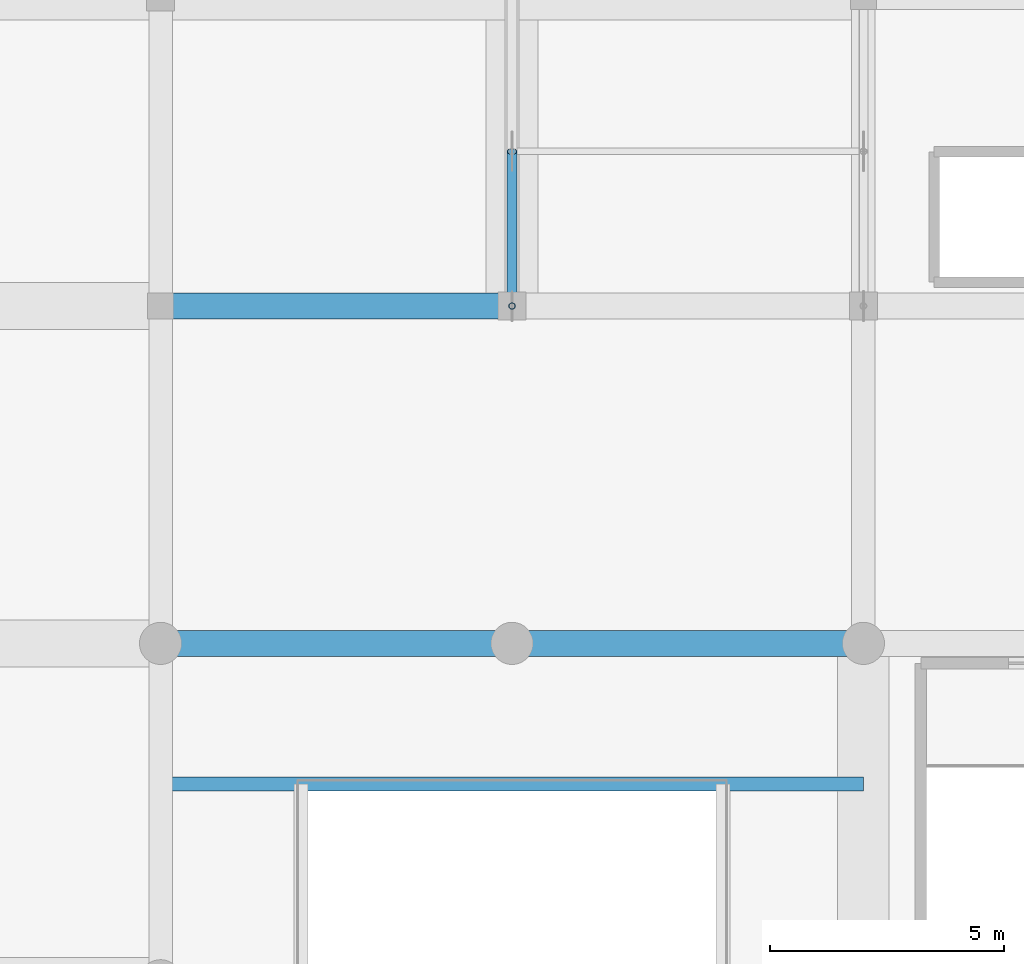
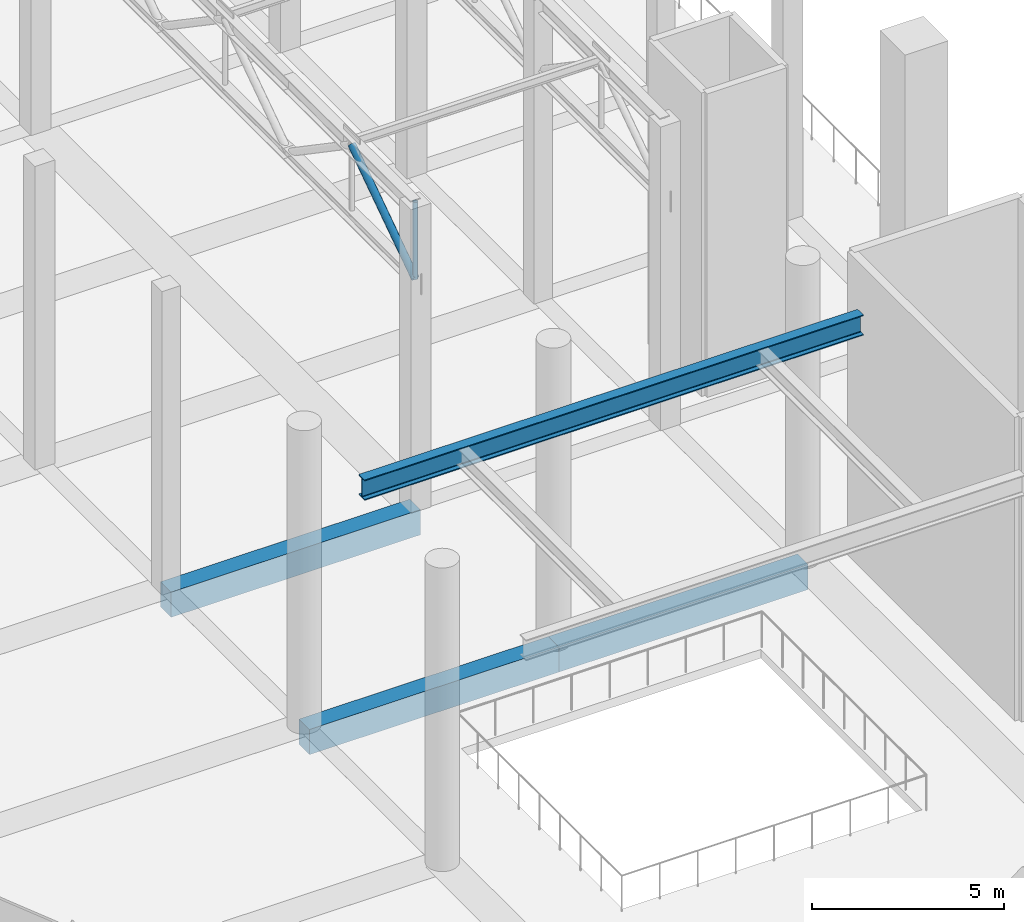
# One storey, part 13 of 80: 4 beams, 2 members.
"""IFC4 building model written with IfcOpenShell, lengths in metres."""

from ifc_helpers import new_model, si_unit, direction, frame, origin, origin_2d, place, context, subcontext, project, spatial, rectangle, hollow_circle, i_section, extrude, material, material_profile, profile_set, type_object, element, save


model = new_model("IFC4")

# Units and contexts
model_context = context("Model", 3, precision=1e-05, world=origin(), true_north=direction((0.0, 1.0)))
body_context = subcontext(model_context, "Body", "Model", "MODEL_VIEW")
ifc_project = project(units=[si_unit("LENGTHUNIT", "METRE"), si_unit("AREAUNIT", "SQUARE_METRE"), si_unit("VOLUMEUNIT", "CUBIC_METRE"), si_unit("PLANEANGLEUNIT", "RADIAN"), si_unit("MASSUNIT", "GRAM", prefix="KILO")], contexts=[model_context])

# Site, building, storey
site_placement = place(None, origin())
site = spatial("IfcSite", under=ifc_project, at=site_placement, CompositionType="ELEMENT")
building_placement = place(site_placement, origin())
building = spatial("IfcBuilding", under=site, at=building_placement, Name="Akrevak Sports Hall", CompositionType="ELEMENT")
storey_placement = place(building_placement, frame((0.0, 0.0, 14.0)))
storey = spatial("IfcBuildingStorey", under=building, at=storey_placement, Name="L03", CompositionType="ELEMENT", Elevation=14.0)

# Beams
ifc_material_1 = material(Name="Concrete C40/50", Category="concrete")
ifc_material_profile_1 = material_profile(ifc_material_1, rectangle(XDim=0.550048828125, YDim=0.800048828125, at=origin_2d()), Name="BM 550x800", Category="concrete")
ifc_profile_set_1 = profile_set([ifc_material_profile_1], Name="Concrete C40/50")
beam_type_1 = type_object("IfcBeamType", Name="STR-BM-RC550x800", PredefinedType="BEAM", material=ifc_profile_set_1)
for number, where, z_axis, x_axis, name in (
    (1, (15.0, 21.60009765625, -0.39990234375), (1.0, 0.0, 0.0), (0.0, 1.0, 0.0), "Girder D/3-4 (L03)"),
    (2, (22.5, 21.60009765625, -0.39990234375), (1.0, 0.0, 0.0), (0.0, 1.0, 0.0), "Girder D/4-5 (L03)"),
    (3, (15.0, 28.800048828125, -0.39990234375), (1.0, 0.0, 0.0), (0.0, 1.0, 0.0), "Girder E/3-4 (L03)"),
):
    element("IfcBeam", number, at=place(storey_placement, frame(where, z_axis=z_axis, x_axis=x_axis)), inside=storey, type_object=beam_type_1, Name=name, PredefinedType="BEAM", context=body_context, shape_type="SweptSolid", body=[
        extrude(rectangle(XDim=0.550048828125, YDim=0.800048828125, at=origin_2d()), origin(), (0.0, 0.0, 1.0), 7.5),
    ])
ifc_material_2 = material(Name="Steel S355", Category="steel")
ifc_material_profile_2 = material_profile(ifc_material_2, i_section(OverallWidth=0.300048828125, OverallDepth=0.64990234375, WebThickness=0.01611328125, FlangeThickness=0.031005859375, FilletRadius=0.027099609375, at=origin_2d()), Name="HEB 650", Category="steel")
ifc_profile_set_2 = profile_set([ifc_material_profile_2], Name="Steel S355")
beam_type_2 = type_object("IfcBeamType", Name="STR-BM-STL-HEB650", PredefinedType="BEAM", material=ifc_profile_set_2)
beam_placement = place(storey_placement, frame((15.0, 18.60009765625, 9.35009765625), z_axis=(1.0, 0.0, 0.0), x_axis=(0.0, 1.0, 0.0)))
element("IfcBeam", 4, at=beam_placement, inside=storey, type_object=beam_type_2, Name="Rotunda Oculus North Steel Ring Girder", PredefinedType="BEAM", context=body_context, shape_type="SweptSolid", body=[
    extrude(i_section(OverallWidth=0.300048828125, OverallDepth=0.64990234375, WebThickness=0.01611328125, FlangeThickness=0.031005859375, FilletRadius=0.027099609375, at=origin_2d()), origin(), (0.0, 0.0, 1.0), 15.0),
])

# Members
ifc_material_profile_3 = material_profile(ifc_material_2, hollow_circle(Radius=0.06982421875, WallThickness=0.008056640625, at=origin_2d()), Name="CHS 139.7x8", Category="steel")
ifc_profile_set_3 = profile_set([ifc_material_profile_3], Name="Steel S355")
member_type_1 = type_object("IfcMemberType", Name="STR-MEM-BRACE-CHS139", PredefinedType="BRACE", material=ifc_profile_set_3)
member_1_placement = place(storey_placement, frame((22.5, 28.800048828125, 7.18994140625), z_axis=(0.0, 0.0, 1.0), x_axis=(1.0, 0.0, 0.0)))
element("IfcMember", 5, at=member_1_placement, inside=storey, type_object=member_type_1, Name="Roof Truss 1 Bearing End Post E", PredefinedType="BRACE", context=body_context, shape_type="SweptSolid", body=[
    extrude(hollow_circle(Radius=0.06982421875, WallThickness=0.008056640625, at=origin_2d()), origin(), (0.0, 0.0, 1.0), 2.449951171875),
])
ifc_material_profile_4 = material_profile(ifc_material_2, hollow_circle(Radius=0.109619140625, WallThickness=0.010009765625, at=origin_2d()), Name="CHS 219.1x10", Category="steel")
ifc_profile_set_4 = profile_set([ifc_material_profile_4], Name="Steel S355")
member_type_2 = type_object("IfcMemberType", Name="STR-MEM-BRACE-CHS219", PredefinedType="BRACE", material=ifc_profile_set_4)
member_2_placement = place(storey_placement, frame((22.5, 28.800048828125, 7.18994140625), z_axis=(0.0, 0.826231222393, 0.56333113454), x_axis=(-1.0, 0.0, 0.0)))
element("IfcMember", 6, at=member_2_placement, inside=storey, type_object=member_type_2, Name="Roof Truss 1 Web Diagonal 1A", PredefinedType="BRACE", context=body_context, shape_type="SweptSolid", body=[
    extrude(hollow_circle(Radius=0.109619140625, WallThickness=0.010009765625, at=origin_2d()), origin(), (0.0, 0.0, 1.0), 3.994140625),
])

save(model, "model.ifc")
